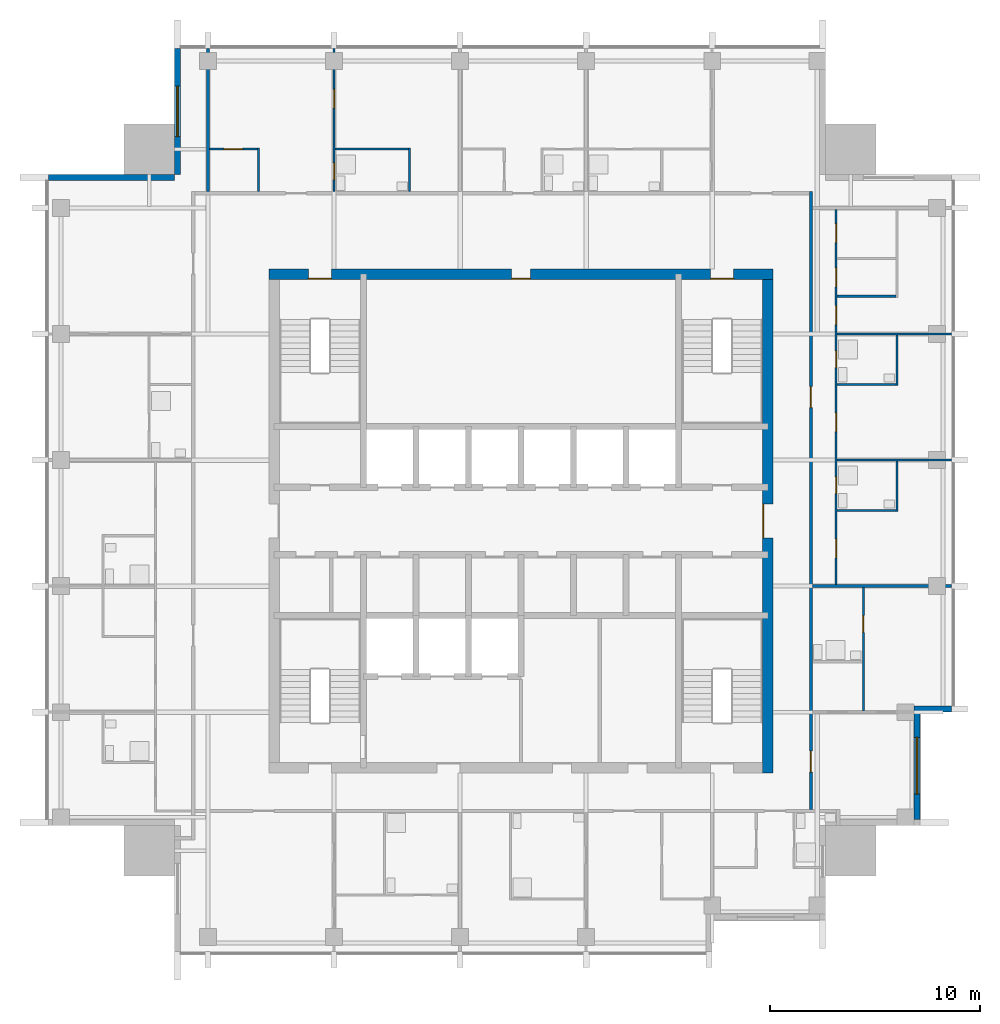
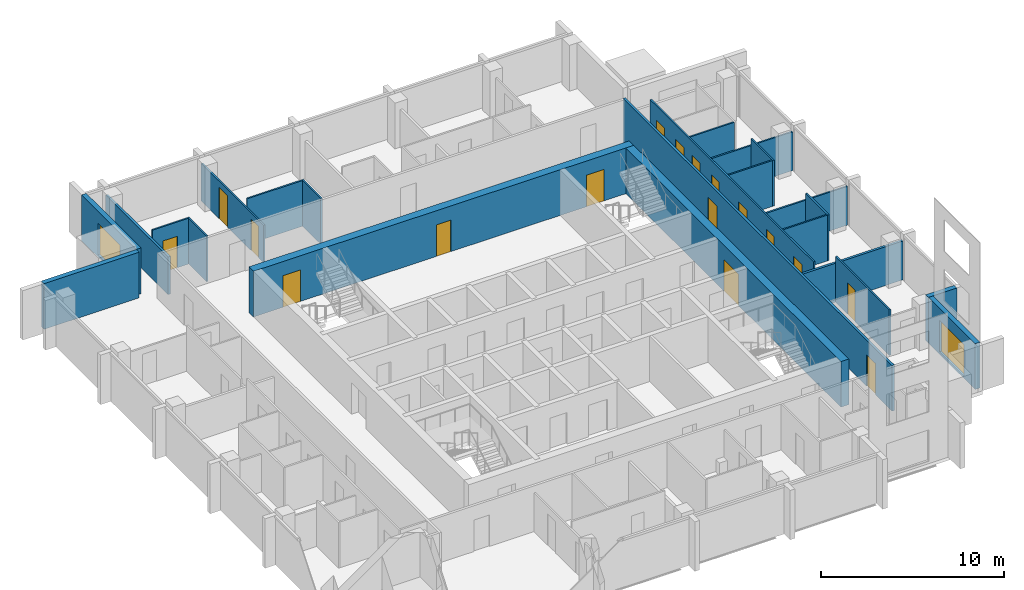
# One storey, part 6 of 9: 23 walls, 17 doors, 2 windows, 19 openings.
"""IFC4 building model written with IfcOpenShell, lengths in metres."""

from ifc_helpers import new_model, si_unit, direction, frame, frame_2d, origin, place, context, subcontext, project, spatial, rectangle, extrude, material, layer, layer_set, type_object, element, fill, save


model = new_model("IFC4")

# Units and contexts
model_context = context("Model", 3, precision=1e-05, world=origin(), true_north=direction((0.0, 1.0)))
body_context = subcontext(model_context, "Body", "Model", "MODEL_VIEW")
ifc_project = project(units=[si_unit("LENGTHUNIT", "METRE"), si_unit("AREAUNIT", "SQUARE_METRE"), si_unit("VOLUMEUNIT", "CUBIC_METRE"), si_unit("PLANEANGLEUNIT", "RADIAN"), si_unit("MASSUNIT", "GRAM", prefix="KILO")], contexts=[model_context])

# Site, building, storey
site_placement = place(None, origin())
site = spatial("IfcSite", under=ifc_project, at=site_placement, CompositionType="ELEMENT")
building_placement = place(site_placement, origin())
building = spatial("IfcBuilding", under=site, at=building_placement, Name="Amberfall Residences", CompositionType="ELEMENT")
storey_placement = place(building_placement, frame((0.0, 0.0, 258.699951171875)))
storey = spatial("IfcBuildingStorey", under=building, at=storey_placement, Name="L69", CompositionType="ELEMENT", Elevation=258.699951171875)

# Wall
ifc_material_1 = material(Name="Pale stone cladding on insulated backing", Category="masonry")
ifc_layer_1 = layer(ifc_material_1, 0.300048828125)
ifc_layer_set_1 = layer_set([ifc_layer_1], Name="Bronze clad wall 300")
wall_type_1 = type_object("IfcWallType", Name="Bronze clad wall 300", PredefinedType="SOLIDWALL", material=ifc_layer_set_1)
wall_1_placement = place(storey_placement, frame((93.199951171875, 36.550048828125, 0.0), z_axis=(0.0, 0.0, 1.0), x_axis=(1.0, 0.0, 0.0)))
element("IfcWall", 1, at=wall_1_placement, inside=storey, type_object=wall_type_1, Name="External wall L69 E", PredefinedType="SOLIDWALL", context=body_context, shape_type="SweptSolid", body=[
    extrude(rectangle(XDim=1.800048828125, YDim=0.300048828125, at=frame_2d((0.89990234375, 0.0))), origin(), (0.0, 0.0, 1.0), 3.050048828125),
])

# Wall, opening, window
wall_2_placement = place(storey_placement, frame((58.14990234375, 68.0, 0.0), z_axis=(0.0, 0.0, 1.0), x_axis=(0.0, -1.0, 0.0)))
wall_2 = element("IfcWall", 2, at=wall_2_placement, inside=storey, type_object=wall_type_1, Name="External wall L69 NW", PredefinedType="SOLIDWALL", context=body_context, shape_type="SweptSolid", body=[
    extrude(rectangle(XDim=6.0, YDim=0.300048828125, at=frame_2d((3.0, 0.0))), origin(), (0.0, 0.0, 1.0), 3.050048828125),
])
opening_1_placement = place(wall_2_placement, frame((1.800048828125, 0.0, 0.14990234375)))
opening_1 = element("IfcOpeningElement", 3, at=opening_1_placement, cuts=wall_2, Name="Opening WN5", PredefinedType="OPENING", context=body_context, shape_type="SweptSolid", body=[
    extrude(rectangle(XDim=2.39990234375, YDim=2.10009765625, at=frame_2d((1.199951171875, 1.050048828125))), frame((0.0, 0.159912109375, 0.0), z_axis=(0.0, -1.0, 0.0), x_axis=(1.0, 0.0, 0.0)), (0.0, 0.0, 1.0), 0.320068359375),
])
ifc_material_2 = material(Name="Bronze aluminium framed glazing", Category="aluminium")
window_type_1 = type_object("IfcWindowType", Name="Glazed opening 2400 x 2100 bronze", PartitioningType="DOUBLE_PANEL_VERTICAL", PredefinedType="WINDOW", material=ifc_material_2)
window_1_placement = place(opening_1_placement, origin())
window_1 = element("IfcWindow", 4, at=window_1_placement, inside=storey, type_object=window_type_1, Name="Window L69 NW", OverallHeight=2.10009765625, OverallWidth=2.39990234375, PartitioningType="DOUBLE_PANEL_VERTICAL", PredefinedType="WINDOW", context=body_context, shape_type="SweptSolid", body=[
    extrude(rectangle(XDim=2.39990234375, YDim=2.10009765625, at=frame_2d((1.199951171875, 1.050048828125))), frame((0.0, 0.030029296875, 0.0), z_axis=(0.0, -1.0, 0.0), x_axis=(1.0, 0.0, 0.0)), (0.0, 0.0, 1.0), 0.06005859375),
])
fill(opening_1, window_1)

# Wall
wall_3_placement = place(storey_placement, frame((58.0, 61.85009765625, 0.0), z_axis=(0.0, 0.0, 1.0), x_axis=(-1.0, 0.0, 0.0)))
element("IfcWall", 5, at=wall_3_placement, inside=storey, type_object=wall_type_1, Name="External wall L69 NW", PredefinedType="SOLIDWALL", context=body_context, shape_type="SweptSolid", body=[
    extrude(rectangle(XDim=6.0, YDim=0.300048828125, at=frame_2d((3.0, 0.0))), origin(), (0.0, 0.0, 1.0), 3.050048828125),
])

# Wall, opening, window
wall_4_placement = place(storey_placement, frame((93.35009765625, 31.300048828125, 0.0), z_axis=(0.0, 0.0, 1.0), x_axis=(0.0, 1.0, 0.0)))
wall_4 = element("IfcWall", 6, at=wall_4_placement, inside=storey, type_object=wall_type_1, Name="Stone wall L69 E", PredefinedType="SOLIDWALL", context=body_context, shape_type="SweptSolid", body=[
    extrude(rectangle(XDim=5.099853515625, YDim=0.300048828125, at=frame_2d((2.5498046875, 0.0))), origin(), (0.0, 0.0, 1.0), 3.050048828125),
])
opening_2_placement = place(wall_4_placement, frame((1.199951171875, 0.0, 0.14990234375)))
opening_2 = element("IfcOpeningElement", 7, at=opening_2_placement, cuts=wall_4, Name="Opening WN4", PredefinedType="OPENING", context=body_context, shape_type="SweptSolid", body=[
    extrude(rectangle(XDim=2.699951171875, YDim=2.10009765625, at=frame_2d((1.35009765625, 1.050048828125))), frame((0.0, 0.159912109375, 0.0), z_axis=(0.0, -1.0, 0.0), x_axis=(1.0, 0.0, 0.0)), (0.0, 0.0, 1.0), 0.320068359375),
])
window_type_2 = type_object("IfcWindowType", Name="Glazed opening 2700 x 2100 bronze", PartitioningType="DOUBLE_PANEL_VERTICAL", PredefinedType="WINDOW", material=ifc_material_2)
window_2_placement = place(opening_2_placement, origin())
window_2 = element("IfcWindow", 8, at=window_2_placement, inside=storey, type_object=window_type_2, Name="Window L69 E", OverallHeight=2.10009765625, OverallWidth=2.699951171875, PartitioningType="DOUBLE_PANEL_VERTICAL", PredefinedType="WINDOW", context=body_context, shape_type="SweptSolid", body=[
    extrude(rectangle(XDim=2.699951171875, YDim=2.10009765625, at=frame_2d((1.35009765625, 1.050048828125))), frame((0.0, 0.030029296875, 0.0), z_axis=(0.0, -1.0, 0.0), x_axis=(1.0, 0.0, 0.0)), (0.0, 0.0, 1.0), 0.06005859375),
])
fill(opening_2, window_2)

# Wall, openings, doors
ifc_material_3 = material(Name="Concrete C50", Category="concrete")
ifc_layer_2 = layer(ifc_material_3, 0.5)
ifc_layer_set_2 = layer_set([ifc_layer_2], Name="Core wall 500 C50")
wall_type_2 = type_object("IfcWallType", Name="Core wall 500 C50", PredefinedType="SHEAR", material=ifc_layer_set_2)
wall_5_placement = place(storey_placement, frame((62.5, 57.25, 0.0), z_axis=(0.0, 0.0, 1.0), x_axis=(1.0, 0.0, 0.0)))
wall_5 = element("IfcWall", 9, at=wall_5_placement, inside=storey, type_object=wall_type_2, Name="Core wall RW9 L69 ON", PredefinedType="SHEAR", context=body_context, shape_type="SweptSolid", body=[
    extrude(rectangle(XDim=24.0, YDim=0.5, at=frame_2d((12.0, 0.0))), origin(), (0.0, 0.0, 1.0), 3.050048828125),
])
opening_3_placement = place(wall_5_placement, frame((21.02490234375, 0.0, 0.0)))
opening_3 = element("IfcOpeningElement", 10, at=opening_3_placement, cuts=wall_5, Name="Opening SD1", PredefinedType="OPENING", context=body_context, shape_type="SweptSolid", body=[
    extrude(rectangle(XDim=1.10009765625, YDim=2.10009765625, at=frame_2d((0.550048828125, 1.050048828125))), frame((0.0, 0.260009765625, 0.0), z_axis=(0.0, -1.0, 0.0), x_axis=(1.0, 0.0, 0.0)), (0.0, 0.0, 1.0), 0.52001953125),
])
opening_4_placement = place(wall_5_placement, frame((1.875, 0.0, 0.0)))
opening_4 = element("IfcOpeningElement", 11, at=opening_4_placement, cuts=wall_5, Name="Opening SD1", PredefinedType="OPENING", context=body_context, shape_type="SweptSolid", body=[
    extrude(rectangle(XDim=1.10009765625, YDim=2.10009765625, at=frame_2d((0.550048828125, 1.050048828125))), frame((0.0, 0.260009765625, 0.0), z_axis=(0.0, -1.0, 0.0), x_axis=(1.0, 0.0, 0.0)), (0.0, 0.0, 1.0), 0.52001953125),
])
opening_5_placement = place(wall_5_placement, frame((11.550048828125, 0.0, 0.0)))
opening_5 = element("IfcOpeningElement", 12, at=opening_5_placement, cuts=wall_5, Name="Opening RD1", PredefinedType="OPENING", context=body_context, shape_type="SweptSolid", body=[
    extrude(rectangle(XDim=0.89990234375, YDim=2.10009765625, at=frame_2d((0.449951171875, 1.050048828125))), frame((0.0, 0.260009765625, 0.0), z_axis=(0.0, -1.0, 0.0), x_axis=(1.0, 0.0, 0.0)), (0.0, 0.0, 1.0), 0.52001953125),
])
ifc_material_4 = material(Name="Steel fire door set", Category="steel")
door_type_1 = type_object("IfcDoorType", Name="Service room door 900 x 2100", OperationType="SINGLE_SWING_LEFT", PredefinedType="DOOR", material=ifc_material_4)
door_1_placement = place(opening_5_placement, origin())
door_1 = element("IfcDoor", 13, at=door_1_placement, inside=storey, type_object=door_type_1, Name="RD1 L69", OperationType="SINGLE_SWING_RIGHT", OverallHeight=2.10009765625, OverallWidth=0.89990234375, PredefinedType="DOOR", context=body_context, shape_type="SweptSolid", body=[
    extrude(rectangle(XDim=0.89990234375, YDim=2.10009765625, at=frame_2d((0.449951171875, 1.050048828125))), frame((0.0, -0.1875, 0.0), z_axis=(0.0, -1.0, 0.0), x_axis=(1.0, 0.0, 0.0)), (0.0, 0.0, 1.0), 0.050048828125),
])
fill(opening_5, door_1)
door_type_2 = type_object("IfcDoorType", Name="Stair door 1100 x 2100", OperationType="SINGLE_SWING_LEFT", PredefinedType="DOOR", material=ifc_material_4)
door_2_placement = place(opening_3_placement, origin())
door_2 = element("IfcDoor", 14, at=door_2_placement, inside=storey, type_object=door_type_2, Name="SD1 L69", OperationType="SINGLE_SWING_RIGHT", OverallHeight=2.10009765625, OverallWidth=1.10009765625, PredefinedType="DOOR", context=body_context, shape_type="SweptSolid", body=[
    extrude(rectangle(XDim=1.10009765625, YDim=2.10009765625, at=frame_2d((0.550048828125, 1.050048828125))), frame((0.0, -0.1875, 0.0), z_axis=(0.0, -1.0, 0.0), x_axis=(1.0, 0.0, 0.0)), (0.0, 0.0, 1.0), 0.050048828125),
])
fill(opening_3, door_2)
door_3_placement = place(opening_4_placement, origin())
door_3 = element("IfcDoor", 15, at=door_3_placement, inside=storey, type_object=door_type_2, Name="SD1 L69", OperationType="SINGLE_SWING_LEFT", OverallHeight=2.10009765625, OverallWidth=1.10009765625, PredefinedType="DOOR", context=body_context, shape_type="SweptSolid", body=[
    extrude(rectangle(XDim=1.10009765625, YDim=2.10009765625, at=frame_2d((0.550048828125, 1.050048828125))), frame((0.0, -0.1875, 0.0), z_axis=(0.0, -1.0, 0.0), x_axis=(1.0, 0.0, 0.0)), (0.0, 0.0, 1.0), 0.050048828125),
])
fill(opening_4, door_3)

# Wall, opening, door
wall_6_placement = place(storey_placement, frame((86.25, 33.5, 0.0), z_axis=(0.0, 0.0, 1.0), x_axis=(0.0, 1.0, 0.0)))
wall_6 = element("IfcWall", 16, at=wall_6_placement, inside=storey, type_object=wall_type_2, Name="Core wall RW9 L69 OE", PredefinedType="SHEAR", context=body_context, shape_type="SweptSolid", body=[
    extrude(rectangle(XDim=24.0, YDim=0.5, at=frame_2d((12.0, 0.0))), origin(), (0.0, 0.0, 1.0), 3.050048828125),
])
opening_6_placement = place(wall_6_placement, frame((11.199951171875, 0.0, 0.0)))
opening_6 = element("IfcOpeningElement", 17, at=opening_6_placement, cuts=wall_6, Name="Opening LB1", PredefinedType="OPENING", context=body_context, shape_type="SweptSolid", body=[
    extrude(rectangle(XDim=1.60009765625, YDim=2.10009765625, at=frame_2d((0.800048828125, 1.050048828125))), frame((0.0, 0.260009765625, 0.0), z_axis=(0.0, -1.0, 0.0), x_axis=(1.0, 0.0, 0.0)), (0.0, 0.0, 1.0), 0.52001953125),
])
door_type_3 = type_object("IfcDoorType", Name="Lift lobby double door 1600 x 2100", OperationType="DOUBLE_DOOR_SINGLE_SWING", PredefinedType="DOOR", material=ifc_material_4)
door_4_placement = place(opening_6_placement, origin())
door_4 = element("IfcDoor", 18, at=door_4_placement, inside=storey, type_object=door_type_3, Name="LB1 L69", OperationType="DOUBLE_DOOR_SINGLE_SWING", OverallHeight=2.10009765625, OverallWidth=1.60009765625, PredefinedType="DOOR", context=body_context, shape_type="SweptSolid", body=[
    extrude(rectangle(XDim=1.60009765625, YDim=2.10009765625, at=frame_2d((0.800048828125, 1.050048828125))), frame((0.0, 0.2373046875, 0.0), z_axis=(0.0, -1.0, 0.0), x_axis=(1.0, 0.0, 0.0)), (0.0, 0.0, 1.0), 0.050048828125),
])
fill(opening_6, door_4)

# Wall
ifc_material_5 = material(Name="Gypsum board on metal stud")
ifc_layer_3 = layer(ifc_material_5, 0.10009765625)
ifc_layer_set_3 = layer_set([ifc_layer_3], Name="Flat partition 100")
wall_type_3 = type_object("IfcWallType", Name="Flat partition 100", PredefinedType="PARTITIONING", material=ifc_layer_set_3)
wall_7_placement = place(storey_placement, frame((62.0, 61.175048828125, 0.0), z_axis=(0.0, 0.0, 1.0), x_axis=(0.0, 1.0, 0.0)))
element("IfcWall", 19, at=wall_7_placement, inside=storey, type_object=wall_type_3, Name="Partition 005", PredefinedType="PARTITIONING", context=body_context, shape_type="SweptSolid", body=[
    extrude(rectangle(XDim=2.074951171875, YDim=0.10009765625, at=frame_2d((1.03759765625, 0.0))), origin(), (0.0, 0.0, 1.0), 3.050048828125),
])

# Wall, openings, doors
wall_8_placement = place(storey_placement, frame((65.60009765625, 68.0, 0.0), z_axis=(0.0, 0.0, 1.0), x_axis=(0.0, -1.0, 0.0)))
wall_8 = element("IfcWall", 20, at=wall_8_placement, inside=storey, type_object=wall_type_3, Name="Partition 007", PredefinedType="PARTITIONING", context=body_context, shape_type="SweptSolid", body=[
    extrude(rectangle(XDim=6.824951171875, YDim=0.10009765625, at=frame_2d((3.41259765625, 0.0))), origin(), (0.0, 0.0, 1.0), 2.51611328125),
])
opening_7_placement = place(wall_8_placement, frame((1.949951171875, 0.0, 0.0)))
opening_7 = element("IfcOpeningElement", 21, at=opening_7_placement, cuts=wall_8, Name="Opening D41", PredefinedType="OPENING", context=body_context, shape_type="SweptSolid", body=[
    extrude(rectangle(XDim=0.89990234375, YDim=2.10009765625, at=frame_2d((0.449951171875, 1.050048828125))), frame((0.0, 0.06005859375, 0.0), z_axis=(0.0, -1.0, 0.0), x_axis=(1.0, 0.0, 0.0)), (0.0, 0.0, 1.0), 0.1201171875),
])
opening_8_placement = place(wall_8_placement, frame((5.449951171875, 0.0, 0.0)))
opening_8 = element("IfcOpeningElement", 22, at=opening_8_placement, cuts=wall_8, Name="Opening D42", PredefinedType="OPENING", context=body_context, shape_type="SweptSolid", body=[
    extrude(rectangle(XDim=0.800048828125, YDim=2.10009765625, at=frame_2d((0.39990234375, 1.050048828125))), frame((0.0, 0.06005859375, 0.0), z_axis=(0.0, -1.0, 0.0), x_axis=(1.0, 0.0, 0.0)), (0.0, 0.0, 1.0), 0.1201171875),
])
ifc_material_6 = material(Name="Timber", Category="wood")
door_type_4 = type_object("IfcDoorType", Name="Bathroom door 800 x 2100", OperationType="SINGLE_SWING_LEFT", PredefinedType="DOOR", material=ifc_material_6)
door_5_placement = place(opening_8_placement, origin())
door_5 = element("IfcDoor", 23, at=door_5_placement, inside=storey, type_object=door_type_4, Name="Door 6906 bath1", OperationType="SINGLE_SWING_LEFT", OverallHeight=2.10009765625, OverallWidth=0.800048828125, PredefinedType="DOOR", context=body_context, shape_type="SweptSolid", body=[
    extrude(rectangle(XDim=0.800048828125, YDim=2.10009765625, at=frame_2d((0.39990234375, 1.050048828125))), frame((0.0, 0.02490234375, 0.0), z_axis=(0.0, -1.0, 0.0), x_axis=(1.0, 0.0, 0.0)), (0.0, 0.0, 1.0), 0.050048828125),
])
fill(opening_8, door_5)
door_type_5 = type_object("IfcDoorType", Name="Internal door 900 x 2100", OperationType="SINGLE_SWING_LEFT", PredefinedType="DOOR", material=ifc_material_6)
door_6_placement = place(opening_7_placement, origin())
door_6 = element("IfcDoor", 24, at=door_6_placement, inside=storey, type_object=door_type_5, Name="Door 6906 bedroom1", OperationType="SINGLE_SWING_LEFT", OverallHeight=2.10009765625, OverallWidth=0.89990234375, PredefinedType="DOOR", context=body_context, shape_type="SweptSolid", body=[
    extrude(rectangle(XDim=0.89990234375, YDim=2.10009765625, at=frame_2d((0.449951171875, 1.050048828125))), frame((0.0, 0.02490234375, 0.0), z_axis=(0.0, -1.0, 0.0), x_axis=(1.0, 0.0, 0.0)), (0.0, 0.0, 1.0), 0.050048828125),
])
fill(opening_7, door_6)

# Wall
wall_9_placement = place(storey_placement, frame((69.199951171875, 61.175048828125, 0.0), z_axis=(0.0, 0.0, 1.0), x_axis=(0.0, 1.0, 0.0)))
element("IfcWall", 25, at=wall_9_placement, inside=storey, type_object=wall_type_3, Name="Partition 009", PredefinedType="PARTITIONING", context=body_context, shape_type="SweptSolid", body=[
    extrude(rectangle(XDim=2.074951171875, YDim=0.10009765625, at=frame_2d((1.03759765625, 0.0))), origin(), (0.0, 0.0, 1.0), 3.050048828125),
])

# Wall, openings, doors
wall_10_placement = place(storey_placement, frame((89.5, 60.324951171875, 0.0), z_axis=(0.0, 0.0, 1.0), x_axis=(0.0, -1.0, 0.0)))
wall_10 = element("IfcWall", 26, at=wall_10_placement, inside=storey, type_object=wall_type_3, Name="Partition 019", PredefinedType="PARTITIONING", context=body_context, shape_type="SweptSolid", body=[
    extrude(rectangle(XDim=17.849853515625, YDim=0.10009765625, at=frame_2d((8.9248046875, 0.0))), origin(), (0.0, 0.0, 1.0), 3.050048828125),
])
opening_9_placement = place(wall_10_placement, frame((4.574951171875, 0.0, 0.0)))
opening_9 = element("IfcOpeningElement", 27, at=opening_9_placement, cuts=wall_10, Name="Opening D41", PredefinedType="OPENING", context=body_context, shape_type="SweptSolid", body=[
    extrude(rectangle(XDim=0.89990234375, YDim=2.10009765625, at=frame_2d((0.449951171875, 1.050048828125))), frame((0.0, 0.06005859375, 0.0), z_axis=(0.0, -1.0, 0.0), x_axis=(1.0, 0.0, 0.0)), (0.0, 0.0, 1.0), 0.1201171875),
])
opening_10_placement = place(wall_10_placement, frame((0.675048828125, 0.0, 0.0)))
opening_10 = element("IfcOpeningElement", 28, at=opening_10_placement, cuts=wall_10, Name="Opening D41", PredefinedType="OPENING", context=body_context, shape_type="SweptSolid", body=[
    extrude(rectangle(XDim=0.89990234375, YDim=2.10009765625, at=frame_2d((0.449951171875, 1.050048828125))), frame((0.0, 0.06005859375, 0.0), z_axis=(0.0, -1.0, 0.0), x_axis=(1.0, 0.0, 0.0)), (0.0, 0.0, 1.0), 0.1201171875),
])
opening_11_placement = place(wall_10_placement, frame((2.77490234375, 0.0, 0.0)))
opening_11 = element("IfcOpeningElement", 29, at=opening_11_placement, cuts=wall_10, Name="Opening D41", PredefinedType="OPENING", context=body_context, shape_type="SweptSolid", body=[
    extrude(rectangle(XDim=0.89990234375, YDim=2.10009765625, at=frame_2d((0.449951171875, 1.050048828125))), frame((0.0, 0.06005859375, 0.0), z_axis=(0.0, -1.0, 0.0), x_axis=(1.0, 0.0, 0.0)), (0.0, 0.0, 1.0), 0.1201171875),
])
opening_12_placement = place(wall_10_placement, frame((15.675048828125, 0.0, 0.0)))
opening_12 = element("IfcOpeningElement", 30, at=opening_12_placement, cuts=wall_10, Name="Opening D41", PredefinedType="OPENING", context=body_context, shape_type="SweptSolid", body=[
    extrude(rectangle(XDim=0.89990234375, YDim=2.10009765625, at=frame_2d((0.449951171875, 1.050048828125))), frame((0.0, 0.06005859375, 0.0), z_axis=(0.0, -1.0, 0.0), x_axis=(1.0, 0.0, 0.0)), (0.0, 0.0, 1.0), 0.1201171875),
])
opening_13_placement = place(wall_10_placement, frame((9.675048828125, 0.0, 0.0)))
opening_13 = element("IfcOpeningElement", 31, at=opening_13_placement, cuts=wall_10, Name="Opening D41", PredefinedType="OPENING", context=body_context, shape_type="SweptSolid", body=[
    extrude(rectangle(XDim=0.89990234375, YDim=2.10009765625, at=frame_2d((0.449951171875, 1.050048828125))), frame((0.0, 0.06005859375, 0.0), z_axis=(0.0, -1.0, 0.0), x_axis=(1.0, 0.0, 0.0)), (0.0, 0.0, 1.0), 0.1201171875),
])
opening_14_placement = place(wall_10_placement, frame((12.72509765625, 0.0, 0.0)))
opening_14 = element("IfcOpeningElement", 32, at=opening_14_placement, cuts=wall_10, Name="Opening D42", PredefinedType="OPENING", context=body_context, shape_type="SweptSolid", body=[
    extrude(rectangle(XDim=0.800048828125, YDim=2.10009765625, at=frame_2d((0.39990234375, 1.050048828125))), frame((0.0, 0.06005859375, 0.0), z_axis=(0.0, -1.0, 0.0), x_axis=(1.0, 0.0, 0.0)), (0.0, 0.0, 1.0), 0.1201171875),
])
opening_15_placement = place(wall_10_placement, frame((6.72509765625, 0.0, 0.0)))
opening_15 = element("IfcOpeningElement", 33, at=opening_15_placement, cuts=wall_10, Name="Opening D42", PredefinedType="OPENING", context=body_context, shape_type="SweptSolid", body=[
    extrude(rectangle(XDim=0.800048828125, YDim=2.10009765625, at=frame_2d((0.39990234375, 1.050048828125))), frame((0.0, 0.06005859375, 0.0), z_axis=(0.0, -1.0, 0.0), x_axis=(1.0, 0.0, 0.0)), (0.0, 0.0, 1.0), 0.1201171875),
])
door_7_placement = place(opening_14_placement, origin())
door_7 = element("IfcDoor", 34, at=door_7_placement, inside=storey, type_object=door_type_4, Name="Door 6905 bath1", OperationType="SINGLE_SWING_LEFT", OverallHeight=2.10009765625, OverallWidth=0.800048828125, PredefinedType="DOOR", context=body_context, shape_type="SweptSolid", body=[
    extrude(rectangle(XDim=0.800048828125, YDim=2.10009765625, at=frame_2d((0.39990234375, 1.050048828125))), frame((0.0, 0.02490234375, 0.0), z_axis=(0.0, -1.0, 0.0), x_axis=(1.0, 0.0, 0.0)), (0.0, 0.0, 1.0), 0.050048828125),
])
fill(opening_14, door_7)
door_8_placement = place(opening_15_placement, origin())
door_8 = element("IfcDoor", 35, at=door_8_placement, inside=storey, type_object=door_type_4, Name="Door 6905 bath2", OperationType="SINGLE_SWING_LEFT", OverallHeight=2.10009765625, OverallWidth=0.800048828125, PredefinedType="DOOR", context=body_context, shape_type="SweptSolid", body=[
    extrude(rectangle(XDim=0.800048828125, YDim=2.10009765625, at=frame_2d((0.39990234375, 1.050048828125))), frame((0.0, 0.02490234375, 0.0), z_axis=(0.0, -1.0, 0.0), x_axis=(1.0, 0.0, 0.0)), (0.0, 0.0, 1.0), 0.050048828125),
])
fill(opening_15, door_8)
door_9_placement = place(opening_9_placement, origin())
door_9 = element("IfcDoor", 36, at=door_9_placement, inside=storey, type_object=door_type_5, Name="Door 6905 living", OperationType="SINGLE_SWING_LEFT", OverallHeight=2.10009765625, OverallWidth=0.89990234375, PredefinedType="DOOR", context=body_context, shape_type="SweptSolid", body=[
    extrude(rectangle(XDim=0.89990234375, YDim=2.10009765625, at=frame_2d((0.449951171875, 1.050048828125))), frame((0.0, 0.02490234375, 0.0), z_axis=(0.0, -1.0, 0.0), x_axis=(1.0, 0.0, 0.0)), (0.0, 0.0, 1.0), 0.050048828125),
])
fill(opening_9, door_9)
door_10_placement = place(opening_10_placement, origin())
door_10 = element("IfcDoor", 37, at=door_10_placement, inside=storey, type_object=door_type_5, Name="Door 6905 kitchen", OperationType="SINGLE_SWING_LEFT", OverallHeight=2.10009765625, OverallWidth=0.89990234375, PredefinedType="DOOR", context=body_context, shape_type="SweptSolid", body=[
    extrude(rectangle(XDim=0.89990234375, YDim=2.10009765625, at=frame_2d((0.449951171875, 1.050048828125))), frame((0.0, 0.02490234375, 0.0), z_axis=(0.0, -1.0, 0.0), x_axis=(1.0, 0.0, 0.0)), (0.0, 0.0, 1.0), 0.050048828125),
])
fill(opening_10, door_10)
door_11_placement = place(opening_11_placement, origin())
door_11 = element("IfcDoor", 38, at=door_11_placement, inside=storey, type_object=door_type_5, Name="Door 6905 utility", OperationType="SINGLE_SWING_LEFT", OverallHeight=2.10009765625, OverallWidth=0.89990234375, PredefinedType="DOOR", context=body_context, shape_type="SweptSolid", body=[
    extrude(rectangle(XDim=0.89990234375, YDim=2.10009765625, at=frame_2d((0.449951171875, 1.050048828125))), frame((0.0, 0.02490234375, 0.0), z_axis=(0.0, -1.0, 0.0), x_axis=(1.0, 0.0, 0.0)), (0.0, 0.0, 1.0), 0.050048828125),
])
fill(opening_11, door_11)
door_12_placement = place(opening_12_placement, origin())
door_12 = element("IfcDoor", 39, at=door_12_placement, inside=storey, type_object=door_type_5, Name="Door 6905 bedroom1", OperationType="SINGLE_SWING_LEFT", OverallHeight=2.10009765625, OverallWidth=0.89990234375, PredefinedType="DOOR", context=body_context, shape_type="SweptSolid", body=[
    extrude(rectangle(XDim=0.89990234375, YDim=2.10009765625, at=frame_2d((0.449951171875, 1.050048828125))), frame((0.0, 0.02490234375, 0.0), z_axis=(0.0, -1.0, 0.0), x_axis=(1.0, 0.0, 0.0)), (0.0, 0.0, 1.0), 0.050048828125),
])
fill(opening_12, door_12)
door_13_placement = place(opening_13_placement, origin())
door_13 = element("IfcDoor", 40, at=door_13_placement, inside=storey, type_object=door_type_5, Name="Door 6905 bedroom2", OperationType="SINGLE_SWING_LEFT", OverallHeight=2.10009765625, OverallWidth=0.89990234375, PredefinedType="DOOR", context=body_context, shape_type="SweptSolid", body=[
    extrude(rectangle(XDim=0.89990234375, YDim=2.10009765625, at=frame_2d((0.449951171875, 1.050048828125))), frame((0.0, 0.02490234375, 0.0), z_axis=(0.0, -1.0, 0.0), x_axis=(1.0, 0.0, 0.0)), (0.0, 0.0, 1.0), 0.050048828125),
])
fill(opening_13, door_13)

# Wall, opening, door
wall_11_placement = place(storey_placement, frame((90.800048828125, 36.449951171875, 0.0), z_axis=(0.0, 0.0, 1.0), x_axis=(0.0, 1.0, 0.0)))
wall_11 = element("IfcWall", 41, at=wall_11_placement, inside=storey, type_object=wall_type_3, Name="Partition 020", PredefinedType="PARTITIONING", context=body_context, shape_type="SweptSolid", body=[
    extrude(rectangle(XDim=5.875, YDim=0.10009765625, at=frame_2d((2.9375, 0.0))), origin(), (0.0, 0.0, 1.0), 3.050048828125),
])
opening_16_placement = place(wall_11_placement, frame((3.75, 0.0, 0.0)))
opening_16 = element("IfcOpeningElement", 42, at=opening_16_placement, cuts=wall_11, Name="Opening D42", PredefinedType="OPENING", context=body_context, shape_type="SweptSolid", body=[
    extrude(rectangle(XDim=0.800048828125, YDim=2.10009765625, at=frame_2d((0.39990234375, 1.050048828125))), frame((0.0, 0.06005859375, 0.0), z_axis=(0.0, -1.0, 0.0), x_axis=(1.0, 0.0, 0.0)), (0.0, 0.0, 1.0), 0.1201171875),
])
door_14_placement = place(opening_16_placement, origin())
door_14 = element("IfcDoor", 43, at=door_14_placement, inside=storey, type_object=door_type_4, Name="Door 6904 bath1", OperationType="SINGLE_SWING_LEFT", OverallHeight=2.10009765625, OverallWidth=0.800048828125, PredefinedType="DOOR", context=body_context, shape_type="SweptSolid", body=[
    extrude(rectangle(XDim=0.800048828125, YDim=2.10009765625, at=frame_2d((0.39990234375, 1.050048828125))), frame((0.0, 0.02490234375, 0.0), z_axis=(0.0, -1.0, 0.0), x_axis=(1.0, 0.0, 0.0)), (0.0, 0.0, 1.0), 0.050048828125),
])
fill(opening_16, door_14)

# Walls
for number, where, z_axis, x_axis, name in (
    (44, (92.39990234375, 45.949951171875, 0.0), (0.0, 0.0, 1.0), (0.0, 1.0, 0.0), "Partition 021"),
    (45, (92.39990234375, 51.949951171875, 0.0), (0.0, 0.0, 1.0), (0.0, 1.0, 0.0), "Partition 022"),
):
    element("IfcWall", number, at=place(storey_placement, frame(where, z_axis=z_axis, x_axis=x_axis)), inside=storey, type_object=wall_type_3, Name=name, PredefinedType="PARTITIONING", context=body_context, shape_type="SweptSolid", body=[
        extrude(rectangle(XDim=2.400146484375, YDim=0.10009765625, at=frame_2d((1.2001953125, 0.0))), origin(), (0.0, 0.0, 1.0), 3.050048828125),
    ])

# Wall, opening, door
wall_12_placement = place(storey_placement, frame((61.949951171875, 63.199951171875, 0.0), z_axis=(0.0, 0.0, 1.0), x_axis=(-1.0, 0.0, 0.0)))
wall_12 = element("IfcWall", 46, at=wall_12_placement, inside=storey, type_object=wall_type_3, Name="Partition 024", PredefinedType="PARTITIONING", context=body_context, shape_type="SweptSolid", body=[
    extrude(rectangle(XDim=2.27490234375, YDim=0.10009765625, at=frame_2d((1.137451171875, 0.0))), origin(), (0.0, 0.0, 1.0), 3.050048828125),
])
opening_17_placement = place(wall_12_placement, frame((0.699951171875, 0.0, 0.0)))
opening_17 = element("IfcOpeningElement", 47, at=opening_17_placement, cuts=wall_12, Name="Opening D41", PredefinedType="OPENING", context=body_context, shape_type="SweptSolid", body=[
    extrude(rectangle(XDim=0.89990234375, YDim=2.10009765625, at=frame_2d((0.449951171875, 1.050048828125))), frame((0.0, 0.06005859375, 0.0), z_axis=(0.0, -1.0, 0.0), x_axis=(1.0, 0.0, 0.0)), (0.0, 0.0, 1.0), 0.1201171875),
])
door_15_placement = place(opening_17_placement, origin())
door_15 = element("IfcDoor", 48, at=door_15_placement, inside=storey, type_object=door_type_5, Name="Door 6906 kitchen", OperationType="SINGLE_SWING_LEFT", OverallHeight=2.10009765625, OverallWidth=0.89990234375, PredefinedType="DOOR", context=body_context, shape_type="SweptSolid", body=[
    extrude(rectangle(XDim=0.89990234375, YDim=2.10009765625, at=frame_2d((0.449951171875, 1.050048828125))), frame((0.0, 0.02490234375, 0.0), z_axis=(0.0, -1.0, 0.0), x_axis=(1.0, 0.0, 0.0)), (0.0, 0.0, 1.0), 0.050048828125),
])
fill(opening_17, door_15)

# Walls
wall_13_placement = place(storey_placement, frame((65.64990234375, 63.199951171875, 0.0), z_axis=(0.0, 0.0, 1.0), x_axis=(1.0, 0.0, 0.0)))
element("IfcWall", 49, at=wall_13_placement, inside=storey, type_object=wall_type_3, Name="Partition 025", PredefinedType="PARTITIONING", context=body_context, shape_type="SweptSolid", body=[
    extrude(rectangle(XDim=3.5, YDim=0.10009765625, at=frame_2d((1.75, 0.0))), origin(), (0.0, 0.0, 1.0), 3.050048828125),
])
wall_14_placement = place(storey_placement, frame((89.550048828125, 56.199951171875, 0.0), z_axis=(0.0, 0.0, 1.0), x_axis=(1.0, 0.0, 0.0)))
element("IfcWall", 50, at=wall_14_placement, inside=storey, type_object=wall_type_3, Name="Partition 029", PredefinedType="PARTITIONING", context=body_context, shape_type="SweptSolid", body=[
    extrude(rectangle(XDim=2.800048828125, YDim=0.10009765625, at=frame_2d((1.39990234375, 0.0))), origin(), (0.0, 0.0, 1.0), 3.050048828125),
])
wall_15_placement = place(storey_placement, frame((89.550048828125, 54.39990234375, 0.0), z_axis=(0.0, 0.0, 1.0), x_axis=(1.0, 0.0, 0.0)))
element("IfcWall", 51, at=wall_15_placement, inside=storey, type_object=wall_type_3, Name="Partition 031", PredefinedType="PARTITIONING", context=body_context, shape_type="SweptSolid", body=[
    extrude(rectangle(XDim=5.449951171875, YDim=0.10009765625, at=frame_2d((2.72509765625, 0.0))), origin(), (0.0, 0.0, 1.0), 2.589111328125),
])
wall_16_placement = place(storey_placement, frame((89.550048828125, 52.0, 0.0), z_axis=(0.0, 0.0, 1.0), x_axis=(1.0, 0.0, 0.0)))
element("IfcWall", 52, at=wall_16_placement, inside=storey, type_object=wall_type_3, Name="Partition 033", PredefinedType="PARTITIONING", context=body_context, shape_type="SweptSolid", body=[
    extrude(rectangle(XDim=2.800048828125, YDim=0.10009765625, at=frame_2d((1.39990234375, 0.0))), origin(), (0.0, 0.0, 1.0), 3.050048828125),
])
wall_17_placement = place(storey_placement, frame((89.550048828125, 48.39990234375, 0.0), z_axis=(0.0, 0.0, 1.0), x_axis=(1.0, 0.0, 0.0)))
element("IfcWall", 53, at=wall_17_placement, inside=storey, type_object=wall_type_3, Name="Partition 034", PredefinedType="PARTITIONING", context=body_context, shape_type="SweptSolid", body=[
    extrude(rectangle(XDim=5.449951171875, YDim=0.10009765625, at=frame_2d((2.72509765625, 0.0))), origin(), (0.0, 0.0, 1.0), 2.589111328125),
])
wall_18_placement = place(storey_placement, frame((89.550048828125, 46.0, 0.0), z_axis=(0.0, 0.0, 1.0), x_axis=(1.0, 0.0, 0.0)))
element("IfcWall", 54, at=wall_18_placement, inside=storey, type_object=wall_type_3, Name="Partition 035", PredefinedType="PARTITIONING", context=body_context, shape_type="SweptSolid", body=[
    extrude(rectangle(XDim=2.800048828125, YDim=0.10009765625, at=frame_2d((1.39990234375, 0.0))), origin(), (0.0, 0.0, 1.0), 3.050048828125),
])
ifc_material_7 = material(Name="Blockwork, plastered", Category="masonry")
ifc_layer_4 = layer(ifc_material_7, 0.14990234375)
ifc_layer_set_4 = layer_set([ifc_layer_4], Name="Flat separating wall 150")
wall_type_4 = type_object("IfcWallType", Name="Flat separating wall 150", PredefinedType="PARTITIONING", material=ifc_layer_set_4)
wall_19_placement = place(storey_placement, frame((59.60009765625, 61.175048828125, 0.0), z_axis=(0.0, 0.0, 1.0), x_axis=(0.0, 1.0, 0.0)))
element("IfcWall", 55, at=wall_19_placement, inside=storey, type_object=wall_type_4, Name="Separating wall 050", PredefinedType="PARTITIONING", context=body_context, shape_type="SweptSolid", body=[
    extrude(rectangle(XDim=6.824951171875, YDim=0.14990234375, at=frame_2d((3.41259765625, 0.0))), origin(), (0.0, 0.0, 1.0), 2.510009765625),
])

# Wall, openings, doors
wall_20_placement = place(storey_placement, frame((88.300048828125, 61.175048828125, 0.0), z_axis=(0.0, 0.0, 1.0), x_axis=(0.0, -1.0, 0.0)))
wall_20 = element("IfcWall", 56, at=wall_20_placement, inside=storey, type_object=wall_type_4, Name="Separating wall 055", PredefinedType="PARTITIONING", context=body_context, shape_type="SweptSolid", body=[
    extrude(rectangle(XDim=29.400146484375, YDim=0.14990234375, at=frame_2d((14.7001953125, 0.0))), origin(), (0.0, 0.0, 1.0), 3.050048828125),
])
opening_18_placement = place(wall_20_placement, frame((26.625, 0.0, 0.0)))
opening_18 = element("IfcOpeningElement", 57, at=opening_18_placement, cuts=wall_20, Name="Opening D40", PredefinedType="OPENING", context=body_context, shape_type="SweptSolid", body=[
    extrude(rectangle(XDim=1.0, YDim=2.10009765625, at=frame_2d((0.5, 1.050048828125))), frame((0.0, 0.0849609375, 0.0), z_axis=(0.0, -1.0, 0.0), x_axis=(1.0, 0.0, 0.0)), (0.0, 0.0, 1.0), 0.169921875),
])
opening_19_placement = place(wall_20_placement, frame((9.27490234375, 0.0, 0.0)))
opening_19 = element("IfcOpeningElement", 58, at=opening_19_placement, cuts=wall_20, Name="Opening D40", PredefinedType="OPENING", context=body_context, shape_type="SweptSolid", body=[
    extrude(rectangle(XDim=1.0, YDim=2.10009765625, at=frame_2d((0.5, 1.050048828125))), frame((0.0, 0.0849609375, 0.0), z_axis=(0.0, -1.0, 0.0), x_axis=(1.0, 0.0, 0.0)), (0.0, 0.0, 1.0), 0.169921875),
])
ifc_material_8 = material(Name="Timber, fire-rated", Category="wood")
door_type_6 = type_object("IfcDoorType", Name="Flat entrance door FD60 1000 x 2100", OperationType="SINGLE_SWING_LEFT", PredefinedType="DOOR", material=ifc_material_8)
door_16_placement = place(opening_18_placement, origin())
door_16 = element("IfcDoor", 59, at=door_16_placement, inside=storey, type_object=door_type_6, Name="Door 6904 entrance", OperationType="SINGLE_SWING_LEFT", OverallHeight=2.10009765625, OverallWidth=1.0, PredefinedType="DOOR", context=body_context, shape_type="SweptSolid", body=[
    extrude(rectangle(XDim=1.0, YDim=2.10009765625, at=frame_2d((0.5, 1.050048828125))), frame((0.0, 0.02490234375, 0.0), z_axis=(0.0, -1.0, 0.0), x_axis=(1.0, 0.0, 0.0)), (0.0, 0.0, 1.0), 0.050048828125),
])
fill(opening_18, door_16)
door_17_placement = place(opening_19_placement, origin())
door_17 = element("IfcDoor", 60, at=door_17_placement, inside=storey, type_object=door_type_6, Name="Door 6905 entrance", OperationType="SINGLE_SWING_LEFT", OverallHeight=2.10009765625, OverallWidth=1.0, PredefinedType="DOOR", context=body_context, shape_type="SweptSolid", body=[
    extrude(rectangle(XDim=1.0, YDim=2.10009765625, at=frame_2d((0.5, 1.050048828125))), frame((0.0, 0.02490234375, 0.0), z_axis=(0.0, -1.0, 0.0), x_axis=(1.0, 0.0, 0.0)), (0.0, 0.0, 1.0), 0.050048828125),
])
fill(opening_19, door_17)

# Wall
wall_21_placement = place(storey_placement, frame((88.375, 42.39990234375, 0.0), z_axis=(0.0, 0.0, 1.0), x_axis=(1.0, 0.0, 0.0)))
element("IfcWall", 61, at=wall_21_placement, inside=storey, type_object=wall_type_4, Name="Separating wall 060", PredefinedType="PARTITIONING", context=body_context, shape_type="SweptSolid", body=[
    extrude(rectangle(XDim=6.625, YDim=0.14990234375, at=frame_2d((3.3125, 0.0))), origin(), (0.0, 0.0, 1.0), 2.589111328125),
])

save(model, "model.ifc")
